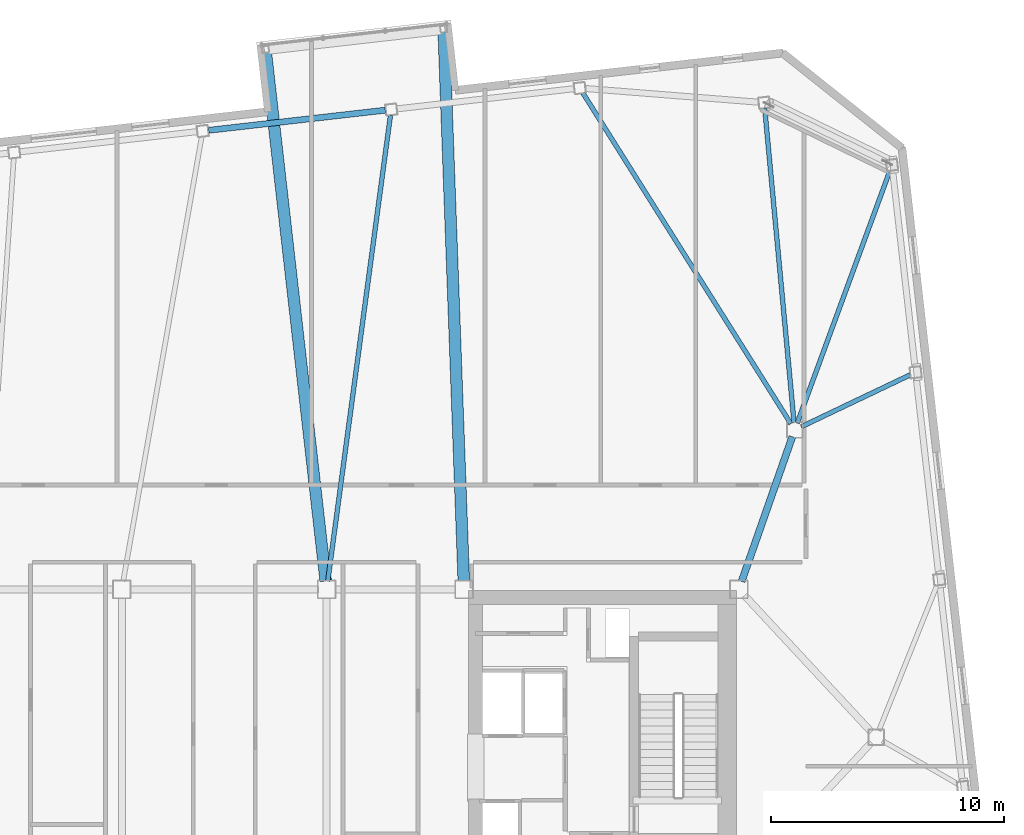
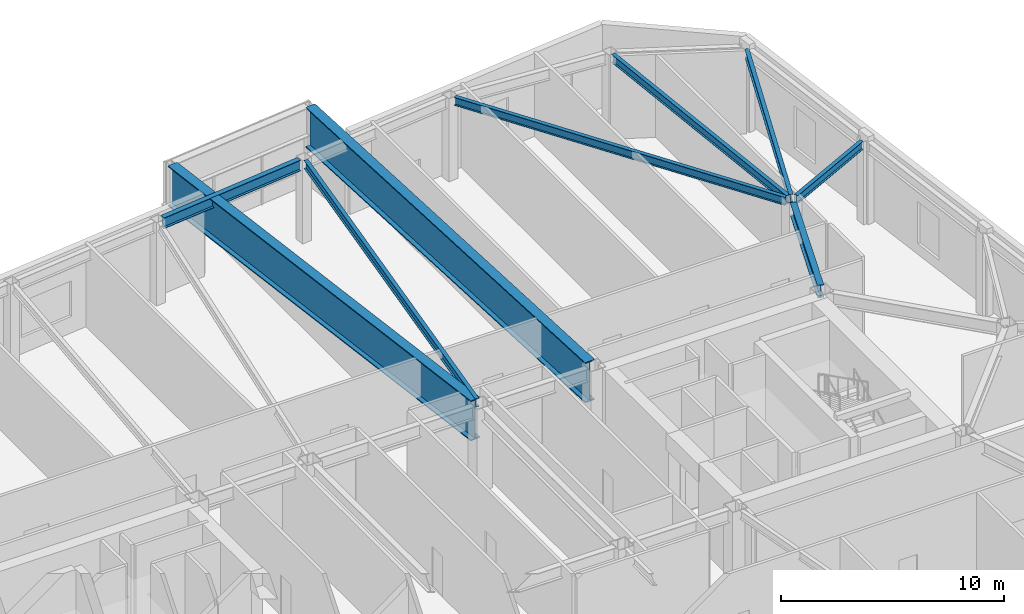
# One storey, part 11 of 21: 9 beams.
"""IFC4 building model written with IfcOpenShell, lengths in metres."""

from ifc_helpers import new_model, si_unit, direction, frame, origin, origin_2d, place, context, subcontext, project, spatial, i_section, extrude, material, material_profile, profile_set, type_object, element, save


model = new_model("IFC4")

# Units and contexts
model_context = context("Model", 3, precision=1e-05, world=origin(), true_north=direction((0.0, 1.0)))
body_context = subcontext(model_context, "Body", "Model", "MODEL_VIEW")
ifc_project = project(units=[si_unit("LENGTHUNIT", "METRE"), si_unit("AREAUNIT", "SQUARE_METRE"), si_unit("VOLUMEUNIT", "CUBIC_METRE"), si_unit("PLANEANGLEUNIT", "RADIAN"), si_unit("MASSUNIT", "GRAM", prefix="KILO")], contexts=[model_context])

# Site, building, storey
site_placement = place(None, origin())
site = spatial("IfcSite", under=ifc_project, at=site_placement, CompositionType="ELEMENT")
building_placement = place(site_placement, origin())
building = spatial("IfcBuilding", under=site, at=building_placement, Name="Tavrogorsk Clinical Tower", CompositionType="ELEMENT")
storey_placement = place(building_placement, frame((0.0, 0.0, 238.199951171875)))
storey = spatial("IfcBuildingStorey", under=building, at=storey_placement, Name="L55", CompositionType="ELEMENT", Elevation=238.199951171875)

# Beams
ifc_material_1 = material(Name="Structural steel S355", Category="steel")
ifc_material_profile_1 = material_profile(ifc_material_1, i_section(OverallWidth=0.199951171875, OverallDepth=0.449951171875, WebThickness=0.011474609375, FlangeThickness=0.01806640625, at=origin_2d()), Name="B-450x200x11.5x18")
ifc_profile_set_1 = profile_set([ifc_material_profile_1], Name="Structural steel S355")
beam_type_1 = type_object("IfcBeamType", Name="FloorBeam_B450", PredefinedType="BEAM", material=ifc_profile_set_1)
beam_1_placement = place(storey_placement, frame((24.47119140625, 13.508544921875, 4.31494140625), z_axis=(-0.092940409745, 0.99567167291, 0.0), x_axis=(-0.99567167291, -0.092940409745, 0.0)))
element("IfcBeam", 1, at=beam_1_placement, inside=storey, type_object=beam_type_1, Name="L55 Radial Floor Beam N1", PredefinedType="BEAM", context=body_context, shape_type="SweptSolid", body=[
    extrude(i_section(OverallWidth=0.199951171875, OverallDepth=0.449951171875, WebThickness=0.011474609375, FlangeThickness=0.01806640625, at=origin_2d()), origin(), (0.0, 0.0, 1.0), 13.546630859375),
])
beam_2_placement = place(storey_placement, frame((24.3349609375, 13.46240234375, 4.31494140625), z_axis=(-0.53234144439, 0.84652973166, 0.0), x_axis=(-0.84652973166, -0.53234144439, 0.0)))
element("IfcBeam", 2, at=beam_2_placement, inside=storey, type_object=beam_type_1, Name="L55 Radial Floor Beam N2", PredefinedType="BEAM", context=body_context, shape_type="SweptSolid", body=[
    extrude(i_section(OverallWidth=0.199951171875, OverallDepth=0.449951171875, WebThickness=0.011474609375, FlangeThickness=0.01806640625, at=origin_2d()), origin(), (0.0, 0.0, 1.0), 16.7734375),
])
beam_3_placement = place(storey_placement, frame((4.447998046875, 6.706787109375, 4.31494140625), z_axis=(0.133328812355, 0.991071858039, 0.0), x_axis=(-0.991071858039, 0.133328812355, 0.0)))
element("IfcBeam", 3, at=beam_3_placement, inside=storey, type_object=beam_type_1, Name="L55 Radial Floor Beam N3", PredefinedType="BEAM", context=body_context, shape_type="SweptSolid", body=[
    extrude(i_section(OverallWidth=0.199951171875, OverallDepth=0.449951171875, WebThickness=0.011474609375, FlangeThickness=0.01806640625, at=origin_2d()), origin(), (0.0, 0.0, 1.0), 20.17529296875),
])
beam_4_placement = place(storey_placement, frame((24.77978515625, 13.333251953125, 4.31494140625), z_axis=(0.90270896244, 0.43025170439, 0.0), x_axis=(-0.43025170439, 0.90270896244, 0.0)))
element("IfcBeam", 4, at=beam_4_placement, inside=storey, type_object=beam_type_1, Name="L55 Radial Floor Beam E4", PredefinedType="BEAM", context=body_context, shape_type="SweptSolid", body=[
    extrude(i_section(OverallWidth=0.199951171875, OverallDepth=0.449951171875, WebThickness=0.011474609375, FlangeThickness=0.01806640625, at=origin_2d()), origin(), (0.0, 0.0, 1.0), 5.182861328125),
])
beam_5_placement = place(storey_placement, frame((24.60693359375, 13.490966796875, 4.31494140625), z_axis=(0.34467380093, 0.938722520744, 0.0), x_axis=(-0.938722520744, 0.34467380093, 0.0)))
element("IfcBeam", 5, at=beam_5_placement, inside=storey, type_object=beam_type_1, Name="L55 Radial Floor Beam E5", PredefinedType="BEAM", context=body_context, shape_type="SweptSolid", body=[
    extrude(i_section(OverallWidth=0.199951171875, OverallDepth=0.449951171875, WebThickness=0.011474609375, FlangeThickness=0.01806640625, at=origin_2d()), origin(), (0.0, 0.0, 1.0), 11.55126953125),
])
ifc_material_2 = material(Name="Structural steel S390", Category="steel")
ifc_material_profile_2 = material_profile(ifc_material_2, i_section(OverallWidth=0.300048828125, OverallDepth=0.699951171875, WebThickness=0.01708984375, FlangeThickness=0.028076171875, at=origin_2d()), Name="B-700x300x17x28")
ifc_profile_set_2 = profile_set([ifc_material_profile_2], Name="Structural steel S390")
beam_type_2 = type_object("IfcBeamType", Name="PrimaryGirder_B700", PredefinedType="USERDEFINED", material=ifc_profile_set_2)
beam_6_placement = place(storey_placement, frame((24.3974609375, 12.907470703125, 4.18994140625), z_axis=(-0.330654121425, -0.943752007672, 0.0), x_axis=(0.943752007672, -0.330654121425, 0.0)))
element("IfcBeam", 6, at=beam_6_placement, inside=storey, type_object=beam_type_2, Name="L55 Spine Link Girder OPG-4", ObjectType="GIRDER", PredefinedType="USERDEFINED", context=body_context, shape_type="SweptSolid", body=[
    extrude(i_section(OverallWidth=0.300048828125, OverallDepth=0.699951171875, WebThickness=0.01708984375, FlangeThickness=0.028076171875, at=origin_2d()), origin(), (0.0, 0.0, 1.0), 6.58837890625),
])
ifc_material_3 = material(Name="Structural steel S390", Category="steel")
ifc_material_profile_3 = material_profile(ifc_material_3, i_section(OverallWidth=0.260009765625, OverallDepth=0.60009765625, WebThickness=0.014892578125, FlangeThickness=0.02392578125, at=origin_2d()), Name="B-600x260x15x24")
ifc_profile_set_3 = profile_set([ifc_material_profile_3], Name="Structural steel S390")
beam_type_3 = type_object("IfcBeamType", Name="SpandrelBeam_B600", PredefinedType="SPANDREL", material=ifc_profile_set_3)
beam_7_placement = place(storey_placement, frame((6.916015625, 26.928466796875, 4.239990234375), z_axis=(-0.993572099834, -0.113201070804, 0.0), x_axis=(0.113201070804, -0.993572099834, 0.0)))
element("IfcBeam", 7, at=beam_7_placement, inside=storey, type_object=beam_type_3, Name="L55 Perimeter Spandrel N3-N4", PredefinedType="SPANDREL", context=body_context, shape_type="SweptSolid", body=[
    extrude(i_section(OverallWidth=0.260009765625, OverallDepth=0.60009765625, WebThickness=0.014892578125, FlangeThickness=0.02392578125, at=origin_2d()), origin(), (0.0, 0.0, 1.0), 7.632568359375),
])
ifc_material_4 = material(Name="Structural steel S440", Category="steel")
ifc_material_profile_4 = material_profile(ifc_material_4, i_section(OverallWidth=0.5, OverallDepth=2.199951171875, WebThickness=0.035888671875, FlangeThickness=0.054931640625, at=origin_2d()), Name="DK-2200x500x36x55")
ifc_profile_set_4 = profile_set([ifc_material_profile_4], Name="Structural steel S440")
beam_type_4 = type_object("IfcBeamType", Name="TransferGirder_DK2200", PredefinedType="USERDEFINED", material=ifc_profile_set_4)
beam_8_placement = place(storey_placement, frame((4.359375, 6.707763671875, 3.43994140625), z_axis=(-0.112582800014, 0.993642346693, 0.0), x_axis=(-0.993642346693, -0.112582800014, 0.0)))
element("IfcBeam", 8, at=beam_8_placement, inside=storey, type_object=beam_type_4, Name="L55 Day-Room Cantilever Beam DRB-08-L", ObjectType="GIRDER", PredefinedType="USERDEFINED", context=body_context, shape_type="SweptSolid", body=[
    extrude(i_section(OverallWidth=0.5, OverallDepth=2.199951171875, WebThickness=0.035888671875, FlangeThickness=0.054931640625, at=origin_2d()), origin(), (0.0, 0.0, 1.0), 22.84130859375),
])
beam_9_placement = place(storey_placement, frame((10.286865234375, 6.709716796875, 3.43994140625), z_axis=(-0.036433803954, 0.999336068562, 0.0), x_axis=(-0.999336068562, -0.036433803954, 0.0)))
element("IfcBeam", 9, at=beam_9_placement, inside=storey, type_object=beam_type_4, Name="L55 Day-Room Cantilever Beam DRB-08-R", ObjectType="GIRDER", PredefinedType="USERDEFINED", context=body_context, shape_type="SweptSolid", body=[
    extrude(i_section(OverallWidth=0.5, OverallDepth=2.199951171875, WebThickness=0.035888671875, FlangeThickness=0.054931640625, at=origin_2d()), origin(), (0.0, 0.0, 1.0), 23.58056640625),
])

save(model, "model.ifc")
